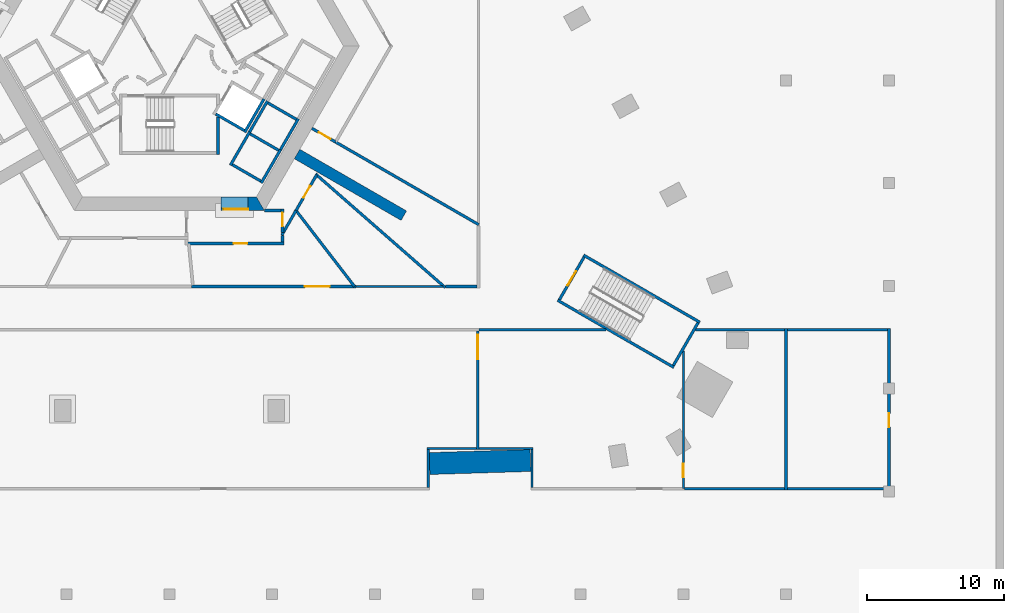
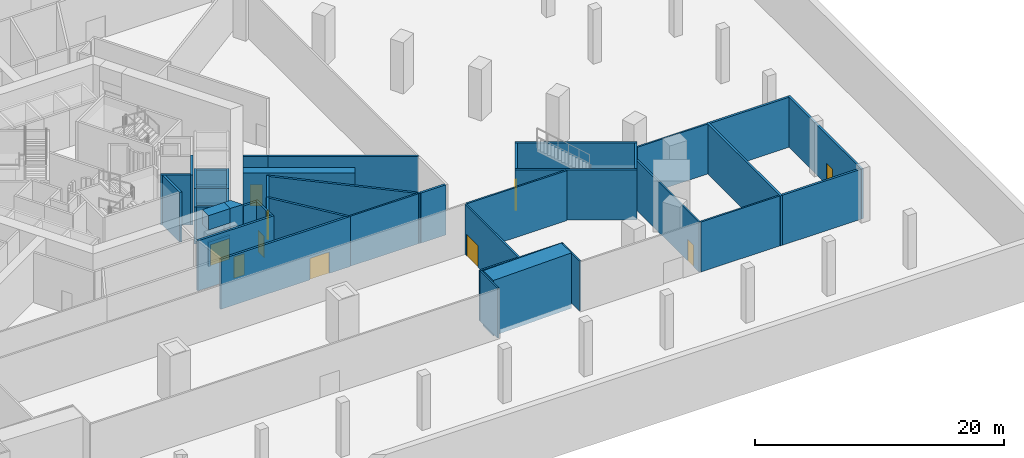
# One storey, part 8 of 20: 45 walls, 10 doors, 10 openings.
"""IFC4 building model written with IfcOpenShell, lengths in metres."""

from ifc_helpers import new_model, si_unit, direction, frame, frame_2d, origin, place, context, subcontext, project, spatial, polyline, rectangle, outline, extrude, material, layer, layer_set, type_object, element, fill, save


model = new_model("IFC4")

# Units and contexts
model_context = context("Model", 3, precision=1e-05, world=origin(), true_north=direction((0.0, 1.0)))
body_context = subcontext(model_context, "Body", "Model", "MODEL_VIEW")
ifc_project = project(units=[si_unit("LENGTHUNIT", "METRE"), si_unit("AREAUNIT", "SQUARE_METRE"), si_unit("VOLUMEUNIT", "CUBIC_METRE"), si_unit("PLANEANGLEUNIT", "RADIAN"), si_unit("MASSUNIT", "GRAM", prefix="KILO")], contexts=[model_context])

# Site, building, storey
site_placement = place(None, origin())
site = spatial("IfcSite", under=ifc_project, at=site_placement, CompositionType="ELEMENT")
building_placement = place(site_placement, origin())
building = spatial("IfcBuilding", under=site, at=building_placement, Name="Entoto Arch Interchange Tower", CompositionType="ELEMENT")
storey_placement = place(building_placement, frame((0.0, 0.0, -5.5)))
storey = spatial("IfcBuildingStorey", under=building, at=storey_placement, Name="B1", CompositionType="ELEMENT", Elevation=-5.5)

# Walls
ifc_material_1 = material(Name="Concrete C60/75", Category="concrete")
ifc_layer_1 = layer(ifc_material_1, 1.60009765625)
ifc_layer_set_1 = layer_set([ifc_layer_1], Name="Concrete C60/75")
wall_type_1 = type_object("IfcWallType", Name="Arch leg wall 1600 C60/75", PredefinedType="SHEAR", material=ifc_layer_set_1)
wall_1_placement = place(storey_placement, frame((0.0, 0.0, -0.419921875)))
element("IfcWall", 1, at=wall_1_placement, inside=storey, type_object=wall_type_1, Name="Arch leg E B1", PredefinedType="SHEAR", context=body_context, shape_type="SweptSolid", body=[
    extrude(outline(polyline([(19.0, -28.761962890625), (26.376953125, -28.5400390625), (26.321044921875, -26.94091796875), (18.97607421875, -27.162109375), (19.0, -28.761962890625)])), origin(), (0.0, 0.0, 1.0), 5.419921875),
])
ifc_layer_2 = layer(ifc_material_1, 0.800048828125)
ifc_layer_set_2 = layer_set([ifc_layer_2], Name="Concrete C60/75")
wall_type_2 = type_object("IfcWallType", Name="Buttress wall 800 C60/75", PredefinedType="SHEAR", material=ifc_layer_set_2)
wall_2_placement = place(storey_placement, frame((9.31005859375, -5.375, -0.419921875), z_axis=(0.0, 0.0, 1.0), x_axis=(0.866017533419, -0.500013631625, 0.0)))
element("IfcWall", 2, at=wall_2_placement, inside=storey, type_object=wall_type_2, Name="Buttress wall SE B1", PredefinedType="SHEAR", context=body_context, shape_type="SweptSolid", body=[
    extrude(rectangle(XDim=8.999755859375, YDim=0.800048828125, at=frame_2d((4.5, 0.0))), origin(), (0.0, 0.0, 1.0), 5.419921875),
])

# Wall, opening, door
ifc_material_2 = material(Name="Reinforced concrete C40/50", Category="concrete")
ifc_layer_3 = layer(ifc_material_2, 0.199951171875)
ifc_layer_set_3 = layer_set([ifc_layer_3], Name="Reinforced concrete C40/50")
wall_type_3 = type_object("IfcWallType", Name="CORE GAP INFILL WALL", PredefinedType="PARTITIONING", material=ifc_layer_set_3)
wall_3_placement = place(storey_placement, frame((3.75, -9.39990234375, 0.0), z_axis=(0.0, 0.0, 1.0), x_axis=(1.0, 0.0, 0.0)))
wall_3 = element("IfcWall", 3, at=wall_3_placement, inside=storey, type_object=wall_type_3, Name="wall:B1:gap1", PredefinedType="PARTITIONING", context=body_context, shape_type="SweptSolid", body=[
    extrude(rectangle(XDim=2.0, YDim=0.199951171875, at=frame_2d((1.0, 0.0))), origin(), (0.0, 0.0, 1.0), 2.39990234375),
])
opening_1_placement = place(wall_3_placement, frame((0.18994140625, 0.0, 0.0)))
opening_1 = element("IfcOpeningElement", 4, at=opening_1_placement, cuts=wall_3, Name="Opening B1-D91", PredefinedType="OPENING", context=body_context, shape_type="SweptSolid", body=[
    extrude(rectangle(XDim=1.800048828125, YDim=2.10009765625, at=frame_2d((0.89990234375, 1.050048828125))), frame((0.0, 0.10986328125, 0.0), z_axis=(0.0, -1.0, 0.0), x_axis=(1.0, 0.0, 0.0)), (0.0, 0.0, 1.0), 0.219970703125),
])
ifc_material_3 = material(Name="Fire-rated Steel S235 door and frame", Category="steel")
door_type_1 = type_object("IfcDoorType", Name="DOOR FD-18 1800x2100", OperationType="DOUBLE_DOOR_SINGLE_SWING", PredefinedType="DOOR", material=ifc_material_3)
door_1_placement = place(opening_1_placement, origin())
door_1 = element("IfcDoor", 5, at=door_1_placement, inside=storey, type_object=door_type_1, Name="door:B1:gap1", OperationType="DOUBLE_DOOR_SINGLE_SWING", OverallHeight=2.10009765625, OverallWidth=1.800048828125, PredefinedType="DOOR", context=body_context, shape_type="SweptSolid", body=[
    extrude(rectangle(XDim=1.800048828125, YDim=2.10009765625, at=frame_2d((0.89990234375, 1.050048828125))), frame((0.0, 0.02490234375, 0.0), z_axis=(0.0, -1.0, 0.0), x_axis=(1.0, 0.0, 0.0)), (0.0, 0.0, 1.0), 0.050048828125),
])
fill(opening_1, door_1)

# Walls
ifc_layer_4 = layer(ifc_material_1, 1.0)
ifc_layer_set_4 = layer_set([ifc_layer_4], Name="Concrete C60/75")
wall_type_4 = type_object("IfcWallType", Name="Core wall 1000 C60/75", PredefinedType="SHEAR", material=ifc_layer_set_4)
wall_4_placement = place(storey_placement, frame((0.0, 0.0, -0.419921875)))
element("IfcWall", 6, at=wall_4_placement, inside=storey, type_object=wall_type_4, Name="Core wall S B1", PredefinedType="SHEAR", context=body_context, shape_type="SweptSolid", body=[
    extrude(outline(polyline([(5.75, -8.5), (5.75, -9.5), (6.927978515625, -9.5), (6.35107421875, -8.5), (5.75, -8.5)])), origin(), (0.0, 0.0, 1.0), 5.419921875),
])
wall_5_placement = place(storey_placement, frame((0.0, 0.0, 3.60009765625)))
element("IfcWall", 7, at=wall_5_placement, inside=storey, type_object=wall_type_4, Name="Core wall lintel S B1", PredefinedType="SHEAR", context=body_context, shape_type="SweptSolid", body=[
    extrude(outline(polyline([(5.75, -9.5), (5.75, -8.5), (3.75, -8.5), (3.75, -9.5), (5.75, -9.5)])), origin(), (0.0, 0.0, 1.0), 1.39990234375),
])
ifc_material_4 = material(Name="Concrete C40/50", Category="concrete")
ifc_layer_5 = layer(ifc_material_4, 0.199951171875)
ifc_layer_set_5 = layer_set([ifc_layer_5], Name="Concrete C40/50")
wall_type_5 = type_object("IfcWallType", Name="LIFT SHAFT WALL 200", PredefinedType="STANDARD", material=ifc_layer_set_5)
wall_6_placement = place(storey_placement, frame((5.491943359375, -3.7880859375, 0.0), z_axis=(0.0, 0.0, 1.0), x_axis=(0.500011755427, 0.866018616679, 0.0)))
element("IfcWall", 8, at=wall_6_placement, inside=storey, type_object=wall_type_5, Name="Shaft wall SE1 back", PredefinedType="STANDARD", context=body_context, shape_type="SweptSolid", body=[
    extrude(rectangle(XDim=2.80029296875, YDim=0.199951171875, at=frame_2d((1.400146484375, 0.0))), origin(), (0.0, 0.0, 1.0), 4.89990234375),
])
wall_7_placement = place(storey_placement, frame((3.376953125, -2.451904296875, 0.0), z_axis=(0.0, 0.0, 1.0), x_axis=(0.865955154139, -0.50012165622, 0.0)))
element("IfcWall", 9, at=wall_7_placement, inside=storey, type_object=wall_type_5, Name="Shaft wall SE1 cross 1", PredefinedType="STANDARD", context=body_context, shape_type="SweptSolid", body=[
    extrude(rectangle(XDim=2.39990234375, YDim=0.199951171875, at=frame_2d((1.199951171875, 0.0))), origin(), (0.0, 0.0, 1.0), 4.89990234375),
])
for number, where, z_axis, x_axis, name in (
    (10, (4.450927734375, -6.18994140625, 0.0), (0.0, 0.0, 1.0), (0.500011755427, 0.866018616679, 0.0), "Pit wall LR5 1"),
    (11, (6.702880859375, -7.489990234375, 0.0), (0.0, 0.0, 1.0), (0.500011755427, 0.866018616679, 0.0), "Pit wall LR5 2"),
):
    element("IfcWall", number, at=place(storey_placement, frame(where, z_axis=z_axis, x_axis=x_axis)), inside=storey, type_object=wall_type_5, Name=name, PredefinedType="STANDARD", context=body_context, shape_type="SweptSolid", body=[
        extrude(rectangle(XDim=2.80029296875, YDim=0.199951171875, at=frame_2d((1.400146484375, 0.0))), origin(), (0.0, 0.0, 1.0), 3.60009765625),
    ])
for number, where, z_axis, x_axis, name in (
    (12, (4.587890625, -6.153076171875, 0.0), (0.0, 0.0, 1.0), (0.865999212041, -0.500045362686, 0.0), "Pit wall LR5 3"),
    (13, (5.887939453125, -3.902099609375, 0.0), (0.0, 0.0, 1.0), (0.865999212041, -0.500045362686, 0.0), "Pit wall LR5 4"),
):
    element("IfcWall", number, at=place(storey_placement, frame(where, z_axis=z_axis, x_axis=x_axis)), inside=storey, type_object=wall_type_5, Name=name, PredefinedType="STANDARD", context=body_context, shape_type="SweptSolid", body=[
        extrude(rectangle(XDim=2.399658203125, YDim=0.199951171875, at=frame_2d((1.19970703125, 0.0))), origin(), (0.0, 0.0, 1.0), 3.60009765625),
    ])
wall_8_placement = place(storey_placement, frame((5.7509765625, -3.93798828125, 0.0), z_axis=(0.0, 0.0, 1.0), x_axis=(0.49994636267, 0.866056369097, 0.0)))
element("IfcWall", 14, at=wall_8_placement, inside=storey, type_object=wall_type_5, Name="Pit wall LR6 1", PredefinedType="STANDARD", context=body_context, shape_type="SweptSolid", body=[
    extrude(rectangle(XDim=2.800048828125, YDim=0.199951171875, at=frame_2d((1.39990234375, 0.0))), origin(), (0.0, 0.0, 1.0), 3.60009765625),
])
wall_9_placement = place(storey_placement, frame((8.0029296875, -5.238037109375, 0.0), z_axis=(0.0, 0.0, 1.0), x_axis=(0.500011755427, 0.866018616679, 0.0)))
element("IfcWall", 15, at=wall_9_placement, inside=storey, type_object=wall_type_5, Name="Pit wall LR6 2", PredefinedType="STANDARD", context=body_context, shape_type="SweptSolid", body=[
    extrude(rectangle(XDim=2.80029296875, YDim=0.199951171875, at=frame_2d((1.400146484375, 0.0))), origin(), (0.0, 0.0, 1.0), 3.60009765625),
])
wall_10_placement = place(storey_placement, frame((7.18798828125, -1.64990234375, 0.0), z_axis=(0.0, 0.0, 1.0), x_axis=(0.865955154139, -0.50012165622, 0.0)))
element("IfcWall", 16, at=wall_10_placement, inside=storey, type_object=wall_type_5, Name="Pit wall LR6 4", PredefinedType="STANDARD", context=body_context, shape_type="SweptSolid", body=[
    extrude(rectangle(XDim=2.39990234375, YDim=0.199951171875, at=frame_2d((1.199951171875, 0.0))), origin(), (0.0, 0.0, 1.0), 3.60009765625),
])
ifc_material_5 = material(Name="Gypsum board partition on steel studs", Category="steel")
ifc_layer_6 = layer(ifc_material_5, 0.14990234375)
ifc_layer_set_6 = layer_set([ifc_layer_6], Name="Gypsum board partition on steel studs")
wall_type_6 = type_object("IfcWallType", Name="PARTITION 150", PredefinedType="PARTITIONING", material=ifc_layer_set_6)
wall_11_placement = place(storey_placement, frame((19.946044921875, -15.050048828125, 0.0), z_axis=(0.0, 0.0, 1.0), x_axis=(-1.0, 0.0, 0.0)))
element("IfcWall", 17, at=wall_11_placement, inside=storey, type_object=wall_type_6, Name="wall:B1:p022", PredefinedType="PARTITIONING", context=body_context, shape_type="SweptSolid", body=[
    extrude(rectangle(XDim=6.3330078125, YDim=0.14990234375, at=frame_2d((3.16650390625, 0.0))), origin(), (0.0, 0.0, 1.0), 4.89990234375),
])
wall_12_placement = place(storey_placement, frame((22.425048828125, -26.85107421875, 0.0), z_axis=(0.0, 0.0, 1.0), x_axis=(-1.0, 0.0, 0.0)))
element("IfcWall", 18, at=wall_12_placement, inside=storey, type_object=wall_type_6, Name="wall:B1:p062", PredefinedType="PARTITIONING", context=body_context, shape_type="SweptSolid", body=[
    extrude(rectangle(XDim=3.614013671875, YDim=0.14990234375, at=frame_2d((1.80712890625, 0.0))), origin(), (0.0, 0.0, 1.0), 4.89990234375),
])
for number, where, z_axis, x_axis, name in (
    (19, (18.885986328125, -26.926025390625, 0.0), (0.0, 0.0, 1.0), (0.0, -1.0, 0.0), "wall:B1:p063"),
    (20, (26.467041015625, -29.72509765625, 0.0), (0.0, 0.0, 1.0), (0.0, 1.0, 0.0), "wall:B1:p069"),
):
    element("IfcWall", number, at=place(storey_placement, frame(where, z_axis=z_axis, x_axis=x_axis)), inside=storey, type_object=wall_type_6, Name=name, PredefinedType="PARTITIONING", context=body_context, shape_type="SweptSolid", body=[
        extrude(rectangle(XDim=2.799072265625, YDim=0.14990234375, at=frame_2d((1.3994140625, 0.0))), origin(), (0.0, 0.0, 1.0), 4.89990234375),
    ])
wall_13_placement = place(storey_placement, frame((26.5419921875, -26.85107421875, 0.0), z_axis=(0.0, 0.0, 1.0), x_axis=(-1.0, 0.0, 0.0)))
element("IfcWall", 21, at=wall_13_placement, inside=storey, type_object=wall_type_6, Name="wall:B1:p070", PredefinedType="PARTITIONING", context=body_context, shape_type="SweptSolid", body=[
    extrude(rectangle(XDim=3.967041015625, YDim=0.14990234375, at=frame_2d((1.9833984375, 0.0))), origin(), (0.0, 0.0, 1.0), 4.89990234375),
])
wall_14_placement = place(storey_placement, frame((22.574951171875, -18.199951171875, 0.0), z_axis=(0.0, 0.0, 1.0), x_axis=(1.0, 0.0, 0.0)))
element("IfcWall", 22, at=wall_14_placement, inside=storey, type_object=wall_type_6, Name="wall:B1:p071", PredefinedType="PARTITIONING", context=body_context, shape_type="SweptSolid", body=[
    extrude(rectangle(XDim=9.278076171875, YDim=0.14990234375, at=frame_2d((4.63916015625, 0.0))), origin(), (0.0, 0.0, 1.0), 4.89990234375),
])
wall_15_placement = place(storey_placement, frame((38.39404296875, -18.199951171875, 0.0), z_axis=(0.0, 0.0, 1.0), x_axis=(1.0, 0.0, 0.0)))
element("IfcWall", 23, at=wall_15_placement, inside=storey, type_object=wall_type_6, Name="wall:B1:p072", PredefinedType="PARTITIONING", context=body_context, shape_type="SweptSolid", body=[
    extrude(rectangle(XDim=6.505859375, YDim=0.14990234375, at=frame_2d((3.2529296875, 0.0))), origin(), (0.0, 0.0, 1.0), 4.89990234375),
])
wall_16_placement = place(storey_placement, frame((44.89990234375, -29.800048828125, 0.0), z_axis=(0.0, 0.0, 1.0), x_axis=(-1.0, 0.0, 0.0)))
element("IfcWall", 24, at=wall_16_placement, inside=storey, type_object=wall_type_6, Name="wall:B1:p073", PredefinedType="PARTITIONING", context=body_context, shape_type="SweptSolid", body=[
    extrude(rectangle(XDim=7.324951171875, YDim=0.14990234375, at=frame_2d((3.66259765625, 0.0))), origin(), (0.0, 0.0, 1.0), 4.89990234375),
])

# Wall, opening, door
wall_17_placement = place(storey_placement, frame((22.5, -18.27490234375, 0.0), z_axis=(0.0, 0.0, 1.0), x_axis=(0.0, -1.0, 0.0)))
wall_17 = element("IfcWall", 25, at=wall_17_placement, inside=storey, type_object=wall_type_6, Name="wall:B1:p120", PredefinedType="PARTITIONING", context=body_context, shape_type="SweptSolid", body=[
    extrude(rectangle(XDim=8.651123046875, YDim=0.14990234375, at=frame_2d((4.32568359375, 0.0))), origin(), (0.0, 0.0, 1.0), 4.89990234375),
])
opening_2_placement = place(wall_17_placement, frame((0.27490234375, 0.0, 0.0)))
opening_2 = element("IfcOpeningElement", 26, at=opening_2_placement, cuts=wall_17, Name="Opening B1-D28", PredefinedType="OPENING", context=body_context, shape_type="SweptSolid", body=[
    extrude(rectangle(XDim=1.800048828125, YDim=2.10009765625, at=frame_2d((0.89990234375, 1.050048828125))), frame((0.0, 0.0849609375, 0.0), z_axis=(0.0, -1.0, 0.0), x_axis=(1.0, 0.0, 0.0)), (0.0, 0.0, 1.0), 0.169921875),
])
ifc_material_6 = material(Name="Timber door leaf in Steel S235 frame", Category="steel")
door_type_2 = type_object("IfcDoorType", Name="DOOR DD-18 1800x2100", OperationType="DOUBLE_DOOR_SINGLE_SWING", PredefinedType="DOOR", material=ifc_material_6)
door_2_placement = place(opening_2_placement, origin())
door_2 = element("IfcDoor", 27, at=door_2_placement, inside=storey, type_object=door_type_2, Name="door:B1:28", OperationType="DOUBLE_DOOR_SINGLE_SWING", OverallHeight=2.10009765625, OverallWidth=1.800048828125, PredefinedType="DOOR", context=body_context, shape_type="SweptSolid", body=[
    extrude(rectangle(XDim=1.800048828125, YDim=2.10009765625, at=frame_2d((0.89990234375, 1.050048828125))), frame((0.0, 0.02490234375, 0.0), z_axis=(0.0, -1.0, 0.0), x_axis=(1.0, 0.0, 0.0)), (0.0, 0.0, 1.0), 0.050048828125),
])
fill(opening_2, door_2)

wall_18_placement = place(storey_placement, frame((37.5, -19.748046875, 0.0), z_axis=(0.0, 0.0, 1.0), x_axis=(0.0, -1.0, 0.0)))
wall_18 = element("IfcWall", 28, at=wall_18_placement, inside=storey, type_object=wall_type_6, Name="wall:B1:p121", PredefinedType="PARTITIONING", context=body_context, shape_type="SweptSolid", body=[
    extrude(rectangle(XDim=10.052001953125, YDim=0.14990234375, at=frame_2d((5.02587890625, 0.0))), origin(), (0.0, 0.0, 1.0), 4.89990234375),
])
opening_3_placement = place(wall_18_placement, frame((8.221923828125, 0.0, 0.0)))
opening_3 = element("IfcOpeningElement", 29, at=opening_3_placement, cuts=wall_18, Name="Opening B1-D25", PredefinedType="OPENING", context=body_context, shape_type="SweptSolid", body=[
    extrude(rectangle(XDim=1.0, YDim=2.10009765625, at=frame_2d((0.5, 1.050048828125))), frame((0.0, 0.0849609375, 0.0), z_axis=(0.0, -1.0, 0.0), x_axis=(1.0, 0.0, 0.0)), (0.0, 0.0, 1.0), 0.169921875),
])
door_type_3 = type_object("IfcDoorType", Name="DOOR FD-10 1000x2100", OperationType="SINGLE_SWING_LEFT", PredefinedType="DOOR", material=ifc_material_3)
door_3_placement = place(opening_3_placement, origin())
door_3 = element("IfcDoor", 30, at=door_3_placement, inside=storey, type_object=door_type_3, Name="door:B1:25", OperationType="SINGLE_SWING_LEFT", OverallHeight=2.10009765625, OverallWidth=1.0, PredefinedType="DOOR", context=body_context, shape_type="SweptSolid", body=[
    extrude(rectangle(XDim=1.0, YDim=2.10009765625, at=frame_2d((0.5, 1.050048828125))), frame((0.0, 0.02490234375, 0.0), z_axis=(0.0, -1.0, 0.0), x_axis=(1.0, 0.0, 0.0)), (0.0, 0.0, 1.0), 0.050048828125),
])
fill(opening_3, door_3)

# Wall
ifc_layer_7 = layer(ifc_material_5, 0.199951171875)
ifc_layer_set_7 = layer_set([ifc_layer_7], Name="Gypsum board partition on steel studs")
wall_type_7 = type_object("IfcWallType", Name="PARTITION 200", PredefinedType="PARTITIONING", material=ifc_layer_set_7)
wall_19_placement = place(storey_placement, frame((6.927978515625, -9.5, 0.0), z_axis=(0.0, 0.0, 1.0), x_axis=(1.0, 0.0, 0.0)))
element("IfcWall", 31, at=wall_19_placement, inside=storey, type_object=wall_type_7, Name="wall:B1:p002", PredefinedType="PARTITIONING", context=body_context, shape_type="SweptSolid", body=[
    extrude(rectangle(XDim=1.221923828125, YDim=0.199951171875, at=frame_2d((0.61083984375, 0.0))), origin(), (0.0, 0.0, 1.0), 4.89990234375),
])

# Wall, opening, door
wall_20_placement = place(storey_placement, frame((8.25, -9.39990234375, 0.0), z_axis=(0.0, 0.0, 1.0), x_axis=(0.0, -1.0, 0.0)))
wall_20 = element("IfcWall", 32, at=wall_20_placement, inside=storey, type_object=wall_type_7, Name="wall:B1:p003", PredefinedType="PARTITIONING", context=body_context, shape_type="SweptSolid", body=[
    extrude(rectangle(XDim=1.710205078125, YDim=0.199951171875, at=frame_2d((0.85498046875, 0.0))), origin(), (0.0, 0.0, 1.0), 4.89990234375),
])
opening_4_placement = place(wall_20_placement, frame((0.2529296875, 0.0, 0.0)))
opening_4 = element("IfcOpeningElement", 33, at=opening_4_placement, cuts=wall_20, Name="Opening B1-D02", PredefinedType="OPENING", context=body_context, shape_type="SweptSolid", body=[
    extrude(rectangle(XDim=1.0, YDim=2.10009765625, at=frame_2d((0.5, 1.050048828125))), frame((0.0, 0.10986328125, 0.0), z_axis=(0.0, -1.0, 0.0), x_axis=(1.0, 0.0, 0.0)), (0.0, 0.0, 1.0), 0.219970703125),
])
door_4_placement = place(opening_4_placement, origin())
door_4 = element("IfcDoor", 34, at=door_4_placement, inside=storey, type_object=door_type_3, Name="door:B1:02", OperationType="SINGLE_SWING_RIGHT", OverallHeight=2.10009765625, OverallWidth=1.0, PredefinedType="DOOR", context=body_context, shape_type="SweptSolid", body=[
    extrude(rectangle(XDim=1.0, YDim=2.10009765625, at=frame_2d((0.5, 1.050048828125))), frame((0.0, 0.02490234375, 0.0), z_axis=(0.0, -1.0, 0.0), x_axis=(1.0, 0.0, 0.0)), (0.0, 0.0, 1.0), 0.050048828125),
])
fill(opening_4, door_4)

wall_21_placement = place(storey_placement, frame((8.35009765625, -11.89990234375, 0.0), z_axis=(0.0, 0.0, 1.0), x_axis=(-1.0, 0.0, 0.0)))
wall_21 = element("IfcWall", 35, at=wall_21_placement, inside=storey, type_object=wall_type_7, Name="wall:B1:p004", PredefinedType="PARTITIONING", context=body_context, shape_type="SweptSolid", body=[
    extrude(rectangle(XDim=7.0390625, YDim=0.199951171875, at=frame_2d((3.51953125, 0.0))), origin(), (0.0, 0.0, 1.0), 4.89990234375),
])
opening_5_placement = place(wall_21_placement, frame((2.658935546875, 0.0, 0.0)))
opening_5 = element("IfcOpeningElement", 36, at=opening_5_placement, cuts=wall_21, Name="Opening B1-D03", PredefinedType="OPENING", context=body_context, shape_type="SweptSolid", body=[
    extrude(rectangle(XDim=1.0, YDim=2.10009765625, at=frame_2d((0.5, 1.050048828125))), frame((0.0, 0.10986328125, 0.0), z_axis=(0.0, -1.0, 0.0), x_axis=(1.0, 0.0, 0.0)), (0.0, 0.0, 1.0), 0.219970703125),
])
door_5_placement = place(opening_5_placement, origin())
door_5 = element("IfcDoor", 37, at=door_5_placement, inside=storey, type_object=door_type_3, Name="door:B1:03", OperationType="SINGLE_SWING_LEFT", OverallHeight=2.10009765625, OverallWidth=1.0, PredefinedType="DOOR", context=body_context, shape_type="SweptSolid", body=[
    extrude(rectangle(XDim=1.0, YDim=2.10009765625, at=frame_2d((0.5, 1.050048828125))), frame((0.0, 0.02490234375, 0.0), z_axis=(0.0, -1.0, 0.0), x_axis=(1.0, 0.0, 0.0)), (0.0, 0.0, 1.0), 0.050048828125),
])
fill(opening_5, door_5)

# Walls
wall_22_placement = place(storey_placement, frame((8.25, -11.31005859375, 0.0), z_axis=(0.0, 0.0, 1.0), x_axis=(0.0, -1.0, 0.0)))
element("IfcWall", 38, at=wall_22_placement, inside=storey, type_object=wall_type_7, Name="wall:B1:p005", PredefinedType="PARTITIONING", context=body_context, shape_type="SweptSolid", body=[
    extrude(rectangle(XDim=0.489990234375, YDim=0.199951171875, at=frame_2d((0.2451171875, 0.0))), origin(), (0.0, 0.0, 1.0), 4.89990234375),
])
wall_23_placement = place(storey_placement, frame((9.238037109375, -9.498046875, 0.0), z_axis=(0.0, 0.0, 1.0), x_axis=(-0.499780113518, -0.866152318089, 0.0)))
element("IfcWall", 39, at=wall_23_placement, inside=storey, type_object=wall_type_7, Name="wall:B1:p010", PredefinedType="PARTITIONING", context=body_context, shape_type="SweptSolid", body=[
    extrude(rectangle(XDim=2.0771484375, YDim=0.199951171875, at=frame_2d((1.03857421875, 0.0))), origin(), (0.0, 0.0, 1.0), 4.89990234375),
])

# Wall, opening, door
wall_24_placement = place(storey_placement, frame((10.738037109375, -6.90087890625, 0.0), z_axis=(0.0, 0.0, 1.0), x_axis=(-0.500131122175, -0.865949687125, 0.0)))
wall_24 = element("IfcWall", 40, at=wall_24_placement, inside=storey, type_object=wall_type_7, Name="wall:B1:p011", PredefinedType="PARTITIONING", context=body_context, shape_type="SweptSolid", body=[
    extrude(rectangle(XDim=2.999267578125, YDim=0.199951171875, at=frame_2d((1.49951171875, 0.0))), origin(), (0.0, 0.0, 1.0), 4.89990234375),
])
opening_6_placement = place(wall_24_placement, frame((0.9208984375, 0.0, 0.0)))
opening_6 = element("IfcOpeningElement", 41, at=opening_6_placement, cuts=wall_24, Name="Opening B1-D06", PredefinedType="OPENING", context=body_context, shape_type="SweptSolid", body=[
    extrude(rectangle(XDim=1.0, YDim=2.10009765625, at=frame_2d((0.5, 1.050048828125))), frame((0.0, 0.10986328125, 0.0), z_axis=(0.0, -1.0, 0.0), x_axis=(1.0, 0.0, 0.0)), (0.0, 0.0, 1.0), 0.219970703125),
])
door_type_4 = type_object("IfcDoorType", Name="DOOR DS-10 1000x2100", OperationType="SINGLE_SWING_LEFT", PredefinedType="DOOR", material=ifc_material_6)
door_6_placement = place(opening_6_placement, origin())
door_6 = element("IfcDoor", 42, at=door_6_placement, inside=storey, type_object=door_type_4, Name="door:B1:06", OperationType="SINGLE_SWING_RIGHT", OverallHeight=2.10009765625, OverallWidth=1.0, PredefinedType="DOOR", context=body_context, shape_type="SweptSolid", body=[
    extrude(rectangle(XDim=1.0, YDim=2.10009765625, at=frame_2d((0.5, 1.050048828125))), frame((0.0, 0.02490234375, 0.0), z_axis=(0.0, -1.0, 0.0), x_axis=(1.0, 0.0, 0.0)), (0.0, 0.0, 1.0), 0.050048828125),
])
fill(opening_6, door_6)

# Wall
wall_25_placement = place(storey_placement, frame((9.177001953125, -9.4189453125, 0.0), z_axis=(0.0, 0.0, 1.0), x_axis=(0.610138829962, -0.792294521104, 0.0)))
element("IfcWall", 43, at=wall_25_placement, inside=storey, type_object=wall_type_7, Name="wall:B1:p013", PredefinedType="PARTITIONING", context=body_context, shape_type="SweptSolid", body=[
    extrude(rectangle(XDim=7.08203125, YDim=0.199951171875, at=frame_2d((3.541015625, 0.0))), origin(), (0.0, 0.0, 1.0), 4.89990234375),
])

# Wall, opening, door
wall_26_placement = place(storey_placement, frame((13.613037109375, -15.050048828125, 0.0), z_axis=(0.0, 0.0, 1.0), x_axis=(-1.0, 0.0, 0.0)))
wall_26 = element("IfcWall", 44, at=wall_26_placement, inside=storey, type_object=wall_type_7, Name="wall:B1:p014", PredefinedType="PARTITIONING", context=body_context, shape_type="SweptSolid", body=[
    extrude(rectangle(XDim=11.994140625, YDim=0.199951171875, at=frame_2d((5.9970703125, 0.0))), origin(), (0.0, 0.0, 1.0), 4.89990234375),
])
opening_7_placement = place(wall_26_placement, frame((1.925048828125, 0.0, 0.0)))
opening_7 = element("IfcOpeningElement", 45, at=opening_7_placement, cuts=wall_26, Name="Opening B1-D39", PredefinedType="OPENING", context=body_context, shape_type="SweptSolid", body=[
    extrude(rectangle(XDim=1.800048828125, YDim=2.10009765625, at=frame_2d((0.89990234375, 1.050048828125))), frame((0.0, 0.10986328125, 0.0), z_axis=(0.0, -1.0, 0.0), x_axis=(1.0, 0.0, 0.0)), (0.0, 0.0, 1.0), 0.219970703125),
])
door_7_placement = place(opening_7_placement, origin())
door_7 = element("IfcDoor", 46, at=door_7_placement, inside=storey, type_object=door_type_2, Name="door:B1:39", OperationType="DOUBLE_DOOR_SINGLE_SWING", OverallHeight=2.10009765625, OverallWidth=1.800048828125, PredefinedType="DOOR", context=body_context, shape_type="SweptSolid", body=[
    extrude(rectangle(XDim=1.800048828125, YDim=2.10009765625, at=frame_2d((0.89990234375, 1.050048828125))), frame((0.0, 0.02490234375, 0.0), z_axis=(0.0, -1.0, 0.0), x_axis=(1.0, 0.0, 0.0)), (0.0, 0.0, 1.0), 0.050048828125),
])
fill(opening_7, door_7)

# Wall
wall_27_placement = place(storey_placement, frame((10.6630859375, -6.8349609375, 0.0), z_axis=(0.0, 0.0, 1.0), x_axis=(0.752369729321, -0.658741064761, 0.0)))
element("IfcWall", 47, at=wall_27_placement, inside=storey, type_object=wall_type_7, Name="wall:B1:p021", PredefinedType="PARTITIONING", context=body_context, shape_type="SweptSolid", body=[
    extrude(rectangle(XDim=12.571044921875, YDim=0.199951171875, at=frame_2d((6.28564453125, 0.0))), origin(), (0.0, 0.0, 1.0), 4.89990234375),
])

# Wall, opening, door
wall_28_placement = place(storey_placement, frame((10.39208984375, -3.5, 0.0), z_axis=(0.0, 0.0, 1.0), x_axis=(0.866010750942, -0.50002537861, 0.0)))
wall_28 = element("IfcWall", 48, at=wall_28_placement, inside=storey, type_object=wall_type_7, Name="wall:B1:p023", PredefinedType="PARTITIONING", context=body_context, shape_type="SweptSolid", body=[
    extrude(rectangle(XDim=2.0, YDim=0.199951171875, at=frame_2d((1.0, 0.0))), origin(), (0.0, 0.0, 1.0), 4.89990234375),
])
opening_8_placement = place(wall_28_placement, frame((0.580078125, 0.0, 0.0)))
opening_8 = element("IfcOpeningElement", 49, at=opening_8_placement, cuts=wall_28, Name="Opening B1-D19", PredefinedType="OPENING", context=body_context, shape_type="SweptSolid", body=[
    extrude(rectangle(XDim=1.0, YDim=2.10009765625, at=frame_2d((0.5, 1.050048828125))), frame((0.0, 0.10986328125, 0.0), z_axis=(0.0, -1.0, 0.0), x_axis=(1.0, 0.0, 0.0)), (0.0, 0.0, 1.0), 0.219970703125),
])
door_8_placement = place(opening_8_placement, origin())
door_8 = element("IfcDoor", 50, at=door_8_placement, inside=storey, type_object=door_type_4, Name="door:B1:19", OperationType="SINGLE_SWING_LEFT", OverallHeight=2.10009765625, OverallWidth=1.0, PredefinedType="DOOR", context=body_context, shape_type="SweptSolid", body=[
    extrude(rectangle(XDim=1.0, YDim=2.10009765625, at=frame_2d((0.5, 1.050048828125))), frame((0.0, 0.02490234375, 0.0), z_axis=(0.0, -1.0, 0.0), x_axis=(1.0, 0.0, 0.0)), (0.0, 0.0, 1.0), 0.050048828125),
])
fill(opening_8, door_8)

# Walls
wall_29_placement = place(storey_placement, frame((12.1240234375, -4.5, 0.0), z_axis=(0.0, 0.0, 1.0), x_axis=(0.866066629319, -0.499928588481, 0.0)))
element("IfcWall", 51, at=wall_29_placement, inside=storey, type_object=wall_type_7, Name="wall:B1:p024", PredefinedType="PARTITIONING", context=body_context, shape_type="SweptSolid", body=[
    extrude(rectangle(XDim=12.063720703125, YDim=0.199951171875, at=frame_2d((6.03173828125, 0.0))), origin(), (0.0, 0.0, 1.0), 4.89990234375),
])
wall_30_placement = place(storey_placement, frame((22.449951171875, -15.050048828125, 0.0), z_axis=(0.0, 0.0, 1.0), x_axis=(-1.0, 0.0, 0.0)))
element("IfcWall", 52, at=wall_30_placement, inside=storey, type_object=wall_type_7, Name="wall:B1:p026", PredefinedType="PARTITIONING", context=body_context, shape_type="SweptSolid", body=[
    extrude(rectangle(XDim=2.303955078125, YDim=0.199951171875, at=frame_2d((1.15185546875, 0.0))), origin(), (0.0, 0.0, 1.0), 4.89990234375),
])
wall_31_placement = place(storey_placement, frame((45.10009765625, -18.199951171875, 0.0), z_axis=(0.0, 0.0, 1.0), x_axis=(1.0, 0.0, 0.0)))
element("IfcWall", 53, at=wall_31_placement, inside=storey, type_object=wall_type_7, Name="wall:B1:p074", PredefinedType="PARTITIONING", context=body_context, shape_type="SweptSolid", body=[
    extrude(rectangle(XDim=7.2998046875, YDim=0.199951171875, at=frame_2d((3.64990234375, 0.0))), origin(), (0.0, 0.0, 1.0), 4.89990234375),
])

# Wall, opening, door
wall_32_placement = place(storey_placement, frame((52.5, -18.10009765625, 0.0), z_axis=(0.0, 0.0, 1.0), x_axis=(0.0, -1.0, 0.0)))
wall_32 = element("IfcWall", 54, at=wall_32_placement, inside=storey, type_object=wall_type_7, Name="wall:B1:p075", PredefinedType="PARTITIONING", context=body_context, shape_type="SweptSolid", body=[
    extrude(rectangle(XDim=11.7998046875, YDim=0.199951171875, at=frame_2d((5.89990234375, 0.0))), origin(), (0.0, 0.0, 1.0), 4.89990234375),
])
opening_9_placement = place(wall_32_placement, frame((6.199951171875, 0.0, 0.0)))
opening_9 = element("IfcOpeningElement", 55, at=opening_9_placement, cuts=wall_32, Name="Opening B1-D26", PredefinedType="OPENING", context=body_context, shape_type="SweptSolid", body=[
    extrude(rectangle(XDim=1.0, YDim=2.10009765625, at=frame_2d((0.5, 1.050048828125))), frame((0.0, 0.10986328125, 0.0), z_axis=(0.0, -1.0, 0.0), x_axis=(1.0, 0.0, 0.0)), (0.0, 0.0, 1.0), 0.219970703125),
])
door_9_placement = place(opening_9_placement, origin())
door_9 = element("IfcDoor", 56, at=door_9_placement, inside=storey, type_object=door_type_4, Name="door:B1:26", OperationType="SINGLE_SWING_RIGHT", OverallHeight=2.10009765625, OverallWidth=1.0, PredefinedType="DOOR", context=body_context, shape_type="SweptSolid", body=[
    extrude(rectangle(XDim=1.0, YDim=2.10009765625, at=frame_2d((0.5, 1.050048828125))), frame((0.0, 0.02490234375, 0.0), z_axis=(0.0, -1.0, 0.0), x_axis=(1.0, 0.0, 0.0)), (0.0, 0.0, 1.0), 0.050048828125),
])
fill(opening_9, door_9)

# Walls
wall_33_placement = place(storey_placement, frame((52.39990234375, -29.800048828125, 0.0), z_axis=(0.0, 0.0, 1.0), x_axis=(-1.0, 0.0, 0.0)))
element("IfcWall", 57, at=wall_33_placement, inside=storey, type_object=wall_type_7, Name="wall:B1:p076", PredefinedType="PARTITIONING", context=body_context, shape_type="SweptSolid", body=[
    extrude(rectangle(XDim=7.2998046875, YDim=0.199951171875, at=frame_2d((3.64990234375, 0.0))), origin(), (0.0, 0.0, 1.0), 4.89990234375),
])
wall_34_placement = place(storey_placement, frame((45.0, -18.10009765625, 0.0), z_axis=(0.0, 0.0, 1.0), x_axis=(0.0, -1.0, 0.0)))
element("IfcWall", 58, at=wall_34_placement, inside=storey, type_object=wall_type_7, Name="wall:B1:p122", PredefinedType="PARTITIONING", context=body_context, shape_type="SweptSolid", body=[
    extrude(rectangle(XDim=11.7998046875, YDim=0.199951171875, at=frame_2d((5.89990234375, 0.0))), origin(), (0.0, 0.0, 1.0), 4.89990234375),
])
ifc_layer_8 = layer(ifc_material_4, 0.199951171875)
ifc_layer_set_8 = layer_set([ifc_layer_8], Name="Concrete C40/50")
wall_type_8 = type_object("IfcWallType", Name="STAIR ENCLOSURE WALL 200", PredefinedType="STANDARD", material=ifc_layer_set_8)
wall_35_placement = place(storey_placement, frame((3.550048828125, -2.6669921875, 0.0), z_axis=(0.0, 0.0, 1.0), x_axis=(0.0, -1.0, 0.0)))
element("IfcWall", 59, at=wall_35_placement, inside=storey, type_object=wall_type_8, Name="Stair wall ST-S far", PredefinedType="STANDARD", context=body_context, shape_type="SweptSolid", body=[
    extrude(rectangle(XDim=2.73291015625, YDim=0.199951171875, at=frame_2d((1.366455078125, 0.0))), origin(), (0.0, 0.0, 1.0), 4.89990234375),
])
for number, where, z_axis, x_axis, name in (
    (60, (28.322021484375, -16.044921875, 0.0), (0.0, 0.0, 1.0), (0.866019227021, -0.500010698315, 0.0), "Stair wall PST-SE left"),
    (61, (30.221923828125, -12.7548828125, 0.0), (0.0, 0.0, 1.0), (0.866019227021, -0.500010698315, 0.0), "Stair wall PST-SE right"),
):
    element("IfcWall", number, at=place(storey_placement, frame(where, z_axis=z_axis, x_axis=x_axis)), inside=storey, type_object=wall_type_8, Name=name, PredefinedType="STANDARD", context=body_context, shape_type="SweptSolid", body=[
        extrude(rectangle(XDim=9.800048828125, YDim=0.199951171875, at=frame_2d((4.89990234375, 0.0))), origin(), (0.0, 0.0, 1.0), 4.89990234375),
    ])

# Wall, opening, door
wall_36_placement = place(storey_placement, frame((28.4580078125, -16.009033203125, 0.0), z_axis=(0.0, 0.0, 1.0), x_axis=(0.499982693035, 0.866035395735, 0.0)))
wall_36 = element("IfcWall", 62, at=wall_36_placement, inside=storey, type_object=wall_type_8, Name="Stair wall PST-SE near", PredefinedType="STANDARD", context=body_context, shape_type="SweptSolid", body=[
    extrude(rectangle(XDim=3.600341796875, YDim=0.199951171875, at=frame_2d((1.80029296875, 0.0))), origin(), (0.0, 0.0, 1.0), 4.89990234375),
])
opening_10_placement = place(wall_36_placement, frame((1.199951171875, 0.0, 0.0)))
opening_10 = element("IfcOpeningElement", 63, at=opening_10_placement, cuts=wall_36, Name="Opening SD-PST-SE-B1", PredefinedType="OPENING", context=body_context, shape_type="SweptSolid", body=[
    extrude(rectangle(XDim=1.199951171875, YDim=2.199951171875, at=frame_2d((0.60009765625, 1.10009765625))), frame((0.0, 0.10986328125, 0.0), z_axis=(0.0, -1.0, 0.0), x_axis=(1.0, 0.0, 0.0)), (0.0, 0.0, 1.0), 0.219970703125),
])
ifc_material_7 = material(Name="Steel S235", Category="steel")
door_type_5 = type_object("IfcDoorType", Name="STAIR DOOR SD2 1200x2200", OperationType="SINGLE_SWING_LEFT", PredefinedType="DOOR", material=ifc_material_7)
door_10_placement = place(opening_10_placement, origin())
door_10 = element("IfcDoor", 64, at=door_10_placement, inside=storey, type_object=door_type_5, Name="Stair door PST-SE B1", OperationType="SINGLE_SWING_LEFT", OverallHeight=2.199951171875, OverallWidth=1.199951171875, PredefinedType="DOOR", context=body_context, shape_type="SweptSolid", body=[
    extrude(rectangle(XDim=1.199951171875, YDim=2.199951171875, at=frame_2d((0.60009765625, 1.10009765625))), frame((0.0, 0.02490234375, 0.0), z_axis=(0.0, -1.0, 0.0), x_axis=(1.0, 0.0, 0.0)), (0.0, 0.0, 1.0), 0.050048828125),
])
fill(opening_10, door_10)

# Wall
wall_37_placement = place(storey_placement, frame((36.77197265625, -20.80908203125, 0.0), z_axis=(0.0, 0.0, 1.0), x_axis=(0.49995333141, 0.866052346231, 0.0)))
element("IfcWall", 65, at=wall_37_placement, inside=storey, type_object=wall_type_8, Name="Stair wall PST-SE far", PredefinedType="STANDARD", context=body_context, shape_type="SweptSolid", body=[
    extrude(rectangle(XDim=3.600341796875, YDim=0.199951171875, at=frame_2d((1.80029296875, 0.0))), origin(), (0.0, 0.0, 1.0), 4.89990234375),
])

save(model, "model.ifc")
